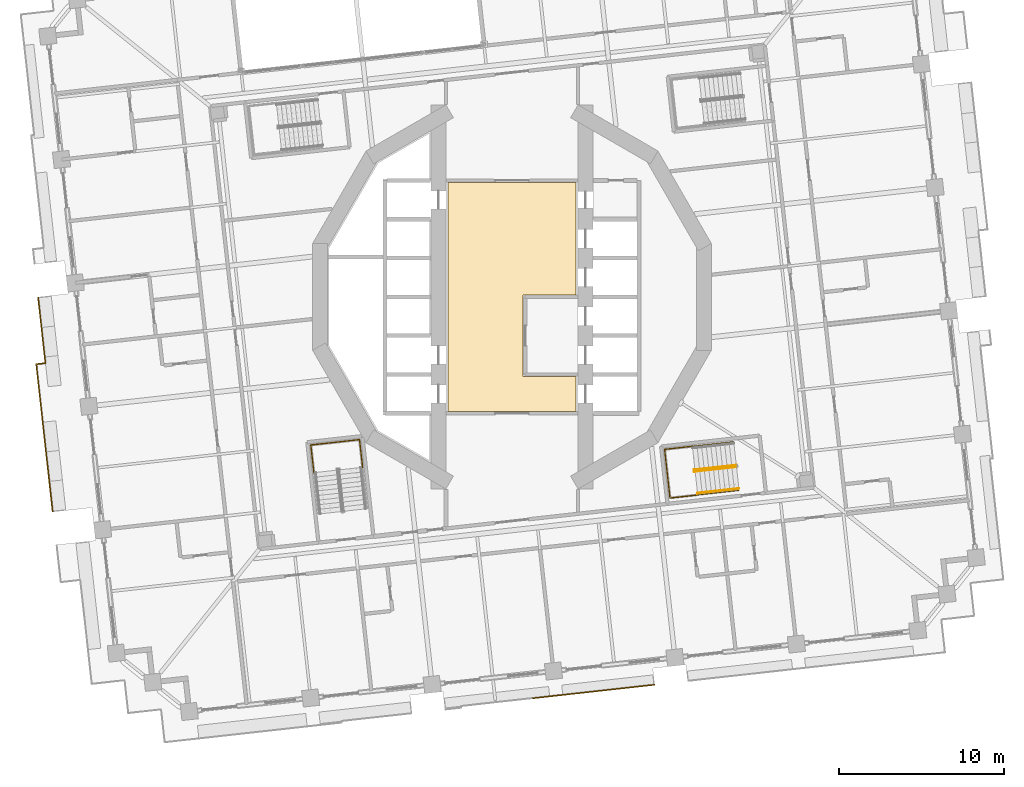
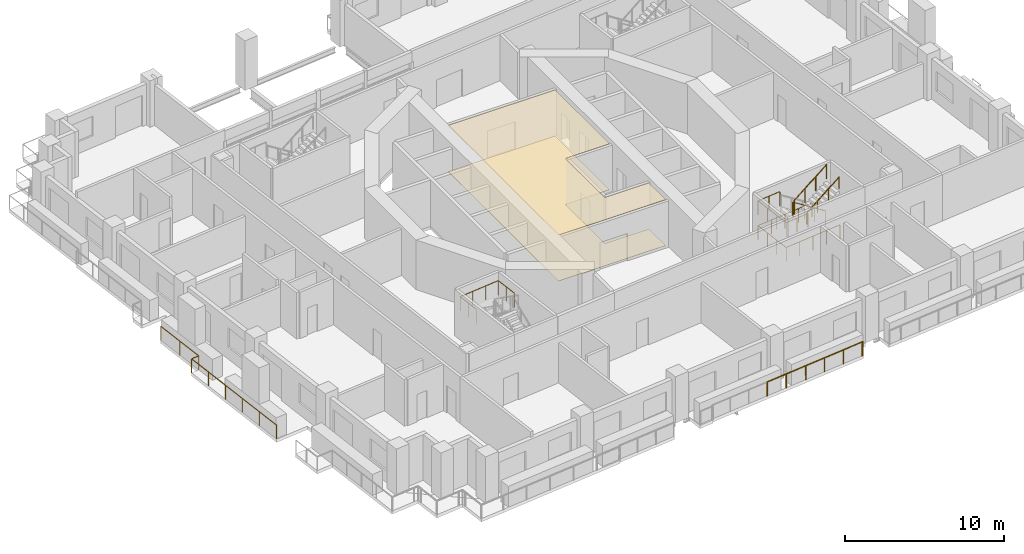
# One storey, part 16 of 21: 8 railings, 2 coverings.
"""IFC4 building model written with IfcOpenShell, lengths in metres."""

from ifc_helpers import new_model, si_unit, direction, frame, origin, origin_2d, place, context, subcontext, project, spatial, polyline, circle, outline, extrude, material, layer, layer_set, type_object, element, save


model = new_model("IFC4")

# Units and contexts
model_context = context("Model", 3, precision=1e-05, world=origin(), true_north=direction((0.0, 1.0)))
body_context = subcontext(model_context, "Body", "Model", "MODEL_VIEW")
ifc_project = project(units=[si_unit("LENGTHUNIT", "METRE"), si_unit("AREAUNIT", "SQUARE_METRE"), si_unit("VOLUMEUNIT", "CUBIC_METRE"), si_unit("PLANEANGLEUNIT", "RADIAN"), si_unit("MASSUNIT", "GRAM", prefix="KILO")], contexts=[model_context])

# Site, building, storey
site_placement = place(None, origin())
site = spatial("IfcSite", under=ifc_project, at=site_placement, CompositionType="ELEMENT")
building_placement = place(site_placement, origin())
building = spatial("IfcBuilding", under=site, at=building_placement, Name="Cantera Rosa Tower", CompositionType="ELEMENT")
storey_placement = place(building_placement, frame((0.0, 0.0, 61.5)))
storey = spatial("IfcBuildingStorey", under=building, at=storey_placement, Name="L12", CompositionType="ELEMENT", Elevation=61.5)

# Railings
ifc_material_1 = material(Name="Stainless steel and laminated glass", Category="steel")
railing_type_1 = type_object("IfcRailingType", Name="GUARD 1100", PredefinedType="BALUSTRADE", material=ifc_material_1)
railing_1_placement = place(storey_placement, frame((-27.823486328125, -12.99853515625, 0.0)))
element("IfcRailing", 1, at=railing_1_placement, inside=storey, type_object=railing_type_1, Name="GUARD L12-3", PredefinedType="BALUSTRADE", context=body_context, shape_type="SweptSolid", body=[
    extrude(circle(Radius=0.030029296875, at=origin_2d()), frame((0.0, 0.0, 1.070068359375), z_axis=(-0.11030317772, 0.993897987212, 0.0), x_axis=(-0.993897987212, -0.11030317772, 0.0)), (0.0, 0.0, 1.0), 8.977294921875),
    extrude(circle(Radius=0.030029296875, at=origin_2d()), frame((-0.990234375, 8.922607421875, 1.070068359375), z_axis=(0.993873032391, 0.110527804132, 0.0), x_axis=(-0.110527804132, 0.993873032391, 0.0)), (0.0, 0.0, 1.0), 0.556640625),
    extrude(circle(Radius=0.030029296875, at=origin_2d()), frame((-0.43701171875, 8.984130859375, 1.070068359375), z_axis=(-0.110344492621, 0.9938934012, 0.0), x_axis=(-0.9938934012, -0.110344492621, 0.0)), (0.0, 0.0, 1.0), 4.00244140625),
    extrude(circle(Radius=0.02490234375, at=origin_2d()), origin(), (0.0, 0.0, 1.0), 1.0400390625),
    extrude(circle(Radius=0.02490234375, at=origin_2d()), frame((-0.197998046875, 1.784423828125, 0.0)), (0.0, 0.0, 1.0), 1.0400390625),
    extrude(circle(Radius=0.02490234375, at=origin_2d()), frame((-0.39599609375, 3.569091796875, 0.0)), (0.0, 0.0, 1.0), 1.0400390625),
    extrude(circle(Radius=0.02490234375, at=origin_2d()), frame((-0.59423828125, 5.353515625, 0.0)), (0.0, 0.0, 1.0), 1.0400390625),
    extrude(circle(Radius=0.02490234375, at=origin_2d()), frame((-0.792236328125, 7.13818359375, 0.0)), (0.0, 0.0, 1.0), 1.0400390625),
    extrude(circle(Radius=0.02490234375, at=origin_2d()), frame((-0.990234375, 8.922607421875, 0.0)), (0.0, 0.0, 1.0), 1.0400390625),
    extrude(circle(Radius=0.02490234375, at=origin_2d()), frame((-0.43701171875, 8.984130859375, 0.0)), (0.0, 0.0, 1.0), 1.0400390625),
    extrude(circle(Radius=0.02490234375, at=origin_2d()), frame((-0.65771484375, 10.97314453125, 0.0)), (0.0, 0.0, 1.0), 1.0400390625),
    extrude(circle(Radius=0.02490234375, at=origin_2d()), frame((-0.878662109375, 12.962158203125, 0.0)), (0.0, 0.0, 1.0), 1.0400390625),
])
railing_2_placement = place(storey_placement, frame((8.6142578125, -23.4931640625, 0.0)))
element("IfcRailing", 2, at=railing_2_placement, inside=storey, type_object=railing_type_1, Name="GUARD L12-9", PredefinedType="BALUSTRADE", context=body_context, shape_type="SweptSolid", body=[
    extrude(circle(Radius=0.030029296875, at=origin_2d()), frame((0.0, 0.0, 1.070068359375), z_axis=(-0.994136314057, -0.108134125389, 0.0), x_axis=(0.108134125389, -0.994136314057, 0.0)), (0.0, 0.0, 1.0), 0.070068359375),
    extrude(circle(Radius=0.030029296875, at=origin_2d()), frame((-0.069580078125, -0.007568359375, 1.070068359375), z_axis=(-0.993891851654, -0.110358448777, 0.0), x_axis=(0.110358448777, -0.993891851654, 0.0)), (0.0, 0.0, 1.0), 4.400146484375),
    extrude(circle(Radius=0.030029296875, at=origin_2d()), frame((-4.44287109375, -0.4931640625, 1.070068359375), z_axis=(-0.993901585709, -0.110270748271, 0.0), x_axis=(0.110270748271, -0.993901585709, 0.0)), (0.0, 0.0, 1.0), 3.0),
    extrude(circle(Radius=0.02490234375, at=origin_2d()), origin(), (0.0, 0.0, 1.0), 1.0400390625),
    extrude(circle(Radius=0.02490234375, at=origin_2d()), frame((-0.069580078125, -0.007568359375, 0.0)), (0.0, 0.0, 1.0), 1.0400390625),
    extrude(circle(Radius=0.02490234375, at=origin_2d()), frame((-1.52734375, -0.16943359375, 0.0)), (0.0, 0.0, 1.0), 1.0400390625),
    extrude(circle(Radius=0.02490234375, at=origin_2d()), frame((-2.985107421875, -0.331298828125, 0.0)), (0.0, 0.0, 1.0), 1.0400390625),
    extrude(circle(Radius=0.02490234375, at=origin_2d()), frame((-4.44287109375, -0.4931640625, 0.0)), (0.0, 0.0, 1.0), 1.0400390625),
    extrude(circle(Radius=0.02490234375, at=origin_2d()), frame((-5.93359375, -0.65869140625, 0.0)), (0.0, 0.0, 1.0), 1.0400390625),
    extrude(circle(Radius=0.02490234375, at=origin_2d()), frame((-7.424560546875, -0.823974609375, 0.0)), (0.0, 0.0, 1.0), 1.0400390625),
])
ifc_material_2 = material(Name="Steel S355J2 (EN 10025-2)", Category="steel")
railing_type_2 = type_object("IfcRailingType", Name="STAIR GUARD 1100", PredefinedType="GUARDRAIL", material=ifc_material_2)
railing_3_placement = place(storey_placement, frame((-9.04638671875, -10.3349609375, 1.89990234375)))
element("IfcRailing", 3, at=railing_3_placement, inside=storey, type_object=railing_type_2, Name="L12 ST-13 stair guard 5", PredefinedType="GUARDRAIL", context=body_context, shape_type="SweptSolid", body=[
    extrude(circle(Radius=0.02392578125, at=origin_2d()), frame((0.0, 0.0, 1.076171875), z_axis=(-0.110305577623, 0.993897720867, 0.0), x_axis=(-0.993897720867, -0.110305577623, 0.0)), (0.0, 0.0, 1.0), 1.7021484375),
    extrude(circle(Radius=0.02392578125, at=origin_2d()), frame((-0.187744140625, 1.691650390625, 1.076171875), z_axis=(-0.993896759678, -0.110314237986, 0.0), x_axis=(0.110314237986, -0.993896759678, 0.0)), (0.0, 0.0, 1.0), 2.969970703125),
    extrude(circle(Radius=0.02392578125, at=origin_2d()), frame((-3.1396484375, 1.364013671875, 1.076171875), z_axis=(0.110447269257, -0.993881985305, 0.0), x_axis=(0.993881985305, 0.110447269257, 0.0)), (0.0, 0.0, 1.0), 1.7021484375),
    extrude(circle(Radius=0.02099609375, at=origin_2d()), origin(), (0.0, 0.0, 1.0), 1.052001953125),
    extrude(circle(Radius=0.02099609375, at=origin_2d()), frame((-0.09375, 0.845703125, 0.0)), (0.0, 0.0, 1.0), 1.052001953125),
    extrude(circle(Radius=0.02099609375, at=origin_2d()), frame((-0.187744140625, 1.691650390625, 0.0)), (0.0, 0.0, 1.0), 1.052001953125),
    extrude(circle(Radius=0.02099609375, at=origin_2d()), frame((-1.171630859375, 1.58251953125, 0.0)), (0.0, 0.0, 1.0), 1.052001953125),
    extrude(circle(Radius=0.02099609375, at=origin_2d()), frame((-2.15576171875, 1.47314453125, 0.0)), (0.0, 0.0, 1.0), 1.052001953125),
    extrude(circle(Radius=0.02099609375, at=origin_2d()), frame((-3.1396484375, 1.364013671875, 0.0)), (0.0, 0.0, 1.0), 1.052001953125),
    extrude(circle(Radius=0.02099609375, at=origin_2d()), frame((-3.045654296875, 0.51806640625, 0.0)), (0.0, 0.0, 1.0), 1.052001953125),
    extrude(circle(Radius=0.02099609375, at=origin_2d()), frame((-2.95166015625, -0.32763671875, 0.0)), (0.0, 0.0, 1.0), 1.052001953125),
])
railing_4_placement = place(storey_placement, frame((13.5859375, -10.19677734375, 0.18994140625)))
element("IfcRailing", 4, at=railing_4_placement, inside=storey, type_object=railing_type_2, Name="L12 ST-14 stair guard 1", PredefinedType="GUARDRAIL", context=body_context, shape_type="SweptSolid", body=[
    extrude(circle(Radius=0.02392578125, at=origin_2d()), frame((0.0, 0.0, 1.076171875), z_axis=(-0.822405392514, -0.091316020869, 0.561525382059), x_axis=(0.110357086308, -0.993892002937, 0.0)), (0.0, 0.0, 1.0), 3.045166015625),
    extrude(circle(Radius=0.02392578125, at=origin_2d()), frame((-2.50439453125, -0.278076171875, 2.7861328125), z_axis=(-0.933456941688, 0.358689472963, 0.0), x_axis=(-0.358689472963, -0.933456941688, 0.0)), (0.0, 0.0, 1.0), 0.056396484375),
    extrude(circle(Radius=0.02392578125, at=origin_2d()), frame((-2.55712890625, -0.2578125, 2.7861328125), z_axis=(0.110789159685, -0.993843932464, 0.0), x_axis=(0.993843932464, 0.110789159685, 0.0)), (0.0, 0.0, 1.0), 0.14990234375),
    extrude(circle(Radius=0.02099609375, at=origin_2d()), origin(), (0.0, 0.0, 1.0), 1.052001953125),
    extrude(circle(Radius=0.02099609375, at=origin_2d()), frame((-0.834716796875, -0.0927734375, 0.570068359375)), (0.0, 0.0, 1.0), 1.052001953125),
    extrude(circle(Radius=0.02099609375, at=origin_2d()), frame((-1.669677734375, -0.185302734375, 1.139892578125)), (0.0, 0.0, 1.0), 1.052001953125),
    extrude(circle(Radius=0.02099609375, at=origin_2d()), frame((-2.50439453125, -0.278076171875, 1.7099609375)), (0.0, 0.0, 1.0), 1.052001953125),
    extrude(circle(Radius=0.02099609375, at=origin_2d()), frame((-2.55712890625, -0.2578125, 1.7099609375)), (0.0, 0.0, 1.0), 1.052001953125),
    extrude(circle(Radius=0.02099609375, at=origin_2d()), frame((-2.54052734375, -0.40673828125, 1.7099609375)), (0.0, 0.0, 1.0), 1.052001953125),
])
railing_5_placement = place(storey_placement, frame((11.09228515625, -10.572265625, 2.090087890625)))
element("IfcRailing", 5, at=railing_5_placement, inside=storey, type_object=railing_type_2, Name="L12 ST-14 stair guard 2", PredefinedType="GUARDRAIL", context=body_context, shape_type="SweptSolid", body=[
    extrude(circle(Radius=0.02392578125, at=origin_2d()), frame((0.0, 0.0, 1.076171875), z_axis=(0.822431337597, 0.091310000343, 0.561488360321), x_axis=(-0.110346460196, 0.993893182753, 0.0)), (0.0, 0.0, 1.0), 3.04541015625),
    extrude(circle(Radius=0.02099609375, at=origin_2d()), origin(), (0.0, 0.0, 1.0), 1.052001953125),
    extrude(circle(Radius=0.02099609375, at=origin_2d()), frame((0.8349609375, 0.0927734375, 0.570068359375)), (0.0, 0.0, 1.0), 1.052001953125),
    extrude(circle(Radius=0.02099609375, at=origin_2d()), frame((1.669677734375, 0.185302734375, 1.139892578125)), (0.0, 0.0, 1.0), 1.052001953125),
    extrude(circle(Radius=0.02099609375, at=origin_2d()), frame((2.504638671875, 0.278076171875, 1.7099609375)), (0.0, 0.0, 1.0), 1.052001953125),
])
railing_6_placement = place(storey_placement, frame((13.415771484375, -8.77099609375, 0.0)))
element("IfcRailing", 6, at=railing_6_placement, inside=storey, type_object=railing_type_2, Name="L12 ST-14 stair guard 4", PredefinedType="GUARDRAIL", context=body_context, shape_type="SweptSolid", body=[
    extrude(circle(Radius=0.02392578125, at=origin_2d()), frame((0.0, 0.0, 1.076171875), z_axis=(-0.9938957856, -0.110323013767, 0.0), x_axis=(0.110323013767, -0.9938957856, 0.0)), (0.0, 0.0, 1.0), 4.197998046875),
    extrude(circle(Radius=0.02392578125, at=origin_2d()), frame((-4.17236328125, -0.463134765625, 1.076171875), z_axis=(0.110314237986, -0.993896759678, 0.0), x_axis=(0.993896759678, 0.110314237986, 0.0)), (0.0, 0.0, 1.0), 2.969970703125),
    extrude(circle(Radius=0.02392578125, at=origin_2d()), frame((-3.8447265625, -3.4150390625, 1.076171875), z_axis=(0.9938957856, 0.110323013767, 0.0), x_axis=(-0.110323013767, 0.9938957856, 0.0)), (0.0, 0.0, 1.0), 4.197998046875),
    extrude(circle(Radius=0.02099609375, at=origin_2d()), origin(), (0.0, 0.0, 1.0), 1.052001953125),
    extrude(circle(Radius=0.02099609375, at=origin_2d()), frame((-1.04296875, -0.11572265625, 0.0)), (0.0, 0.0, 1.0), 1.052001953125),
    extrude(circle(Radius=0.02099609375, at=origin_2d()), frame((-2.086181640625, -0.2314453125, 0.0)), (0.0, 0.0, 1.0), 1.052001953125),
    extrude(circle(Radius=0.02099609375, at=origin_2d()), frame((-3.12939453125, -0.347412109375, 0.0)), (0.0, 0.0, 1.0), 1.052001953125),
    extrude(circle(Radius=0.02099609375, at=origin_2d()), frame((-4.17236328125, -0.463134765625, 0.0)), (0.0, 0.0, 1.0), 1.052001953125),
    extrude(circle(Radius=0.02099609375, at=origin_2d()), frame((-4.063232421875, -1.447021484375, 0.0)), (0.0, 0.0, 1.0), 1.052001953125),
    extrude(circle(Radius=0.02099609375, at=origin_2d()), frame((-3.953857421875, -2.43115234375, 0.0)), (0.0, 0.0, 1.0), 1.052001953125),
    extrude(circle(Radius=0.02099609375, at=origin_2d()), frame((-3.8447265625, -3.4150390625, 0.0)), (0.0, 0.0, 1.0), 1.052001953125),
    extrude(circle(Radius=0.02099609375, at=origin_2d()), frame((-2.8017578125, -3.29931640625, 0.0)), (0.0, 0.0, 1.0), 1.052001953125),
    extrude(circle(Radius=0.02099609375, at=origin_2d()), frame((-1.758544921875, -3.18359375, 0.0)), (0.0, 0.0, 1.0), 1.052001953125),
    extrude(circle(Radius=0.02099609375, at=origin_2d()), frame((-0.71533203125, -3.067626953125, 0.0)), (0.0, 0.0, 1.0), 1.052001953125),
    extrude(circle(Radius=0.02099609375, at=origin_2d()), frame((0.32763671875, -2.951904296875, 0.0)), (0.0, 0.0, 1.0), 1.052001953125),
])
railing_7_placement = place(storey_placement, frame((10.93505859375, -9.04638671875, 1.89990234375)))
element("IfcRailing", 7, at=railing_7_placement, inside=storey, type_object=railing_type_2, Name="L12 ST-14 stair guard 5", PredefinedType="GUARDRAIL", context=body_context, shape_type="SweptSolid", body=[
    extrude(circle(Radius=0.02392578125, at=origin_2d()), frame((0.0, 0.0, 1.076171875), z_axis=(-0.993897720867, -0.110305577623, 0.0), x_axis=(0.110305577623, -0.993897720867, 0.0)), (0.0, 0.0, 1.0), 1.7021484375),
    extrude(circle(Radius=0.02392578125, at=origin_2d()), frame((-1.691650390625, -0.187744140625, 1.076171875), z_axis=(0.110314237986, -0.993896759678, 0.0), x_axis=(0.993896759678, 0.110314237986, 0.0)), (0.0, 0.0, 1.0), 2.969970703125),
    extrude(circle(Radius=0.02392578125, at=origin_2d()), frame((-1.364013671875, -3.1396484375, 1.076171875), z_axis=(0.993881985305, 0.110447269257, 0.0), x_axis=(-0.110447269257, 0.993881985305, 0.0)), (0.0, 0.0, 1.0), 1.7021484375),
    extrude(circle(Radius=0.02099609375, at=origin_2d()), origin(), (0.0, 0.0, 1.0), 1.052001953125),
    extrude(circle(Radius=0.02099609375, at=origin_2d()), frame((-0.845703125, -0.09375, 0.0)), (0.0, 0.0, 1.0), 1.052001953125),
    extrude(circle(Radius=0.02099609375, at=origin_2d()), frame((-1.691650390625, -0.187744140625, 0.0)), (0.0, 0.0, 1.0), 1.052001953125),
    extrude(circle(Radius=0.02099609375, at=origin_2d()), frame((-1.58251953125, -1.171630859375, 0.0)), (0.0, 0.0, 1.0), 1.052001953125),
    extrude(circle(Radius=0.02099609375, at=origin_2d()), frame((-1.47314453125, -2.15576171875, 0.0)), (0.0, 0.0, 1.0), 1.052001953125),
    extrude(circle(Radius=0.02099609375, at=origin_2d()), frame((-1.364013671875, -3.1396484375, 0.0)), (0.0, 0.0, 1.0), 1.052001953125),
    extrude(circle(Radius=0.02099609375, at=origin_2d()), frame((-0.51806640625, -3.045654296875, 0.0)), (0.0, 0.0, 1.0), 1.052001953125),
    extrude(circle(Radius=0.02099609375, at=origin_2d()), frame((0.32763671875, -2.95166015625, 0.0)), (0.0, 0.0, 1.0), 1.052001953125),
])
ifc_material_3 = material(Name="Steel S355J2 (EN 10025-2)", Category="steel")
railing_type_3 = type_object("IfcRailingType", Name="STAIR HANDRAIL 900", PredefinedType="HANDRAIL", material=ifc_material_3)
railing_8_placement = place(storey_placement, frame((11.238525390625, -11.89013671875, 2.090087890625)))
element("IfcRailing", 8, at=railing_8_placement, inside=storey, type_object=railing_type_3, Name="L12 ST-14 stair handrail 2", PredefinedType="HANDRAIL", context=body_context, shape_type="SweptSolid", body=[
    extrude(circle(Radius=0.02392578125, at=origin_2d()), frame((0.0, 0.0, 0.8759765625), z_axis=(0.822431337597, 0.091310000343, 0.561488360321), x_axis=(-0.110346460196, 0.993893182753, 0.0)), (0.0, 0.0, 1.0), 3.04541015625),
    extrude(circle(Radius=0.02099609375, at=origin_2d()), origin(), (0.0, 0.0, 1.0), 0.851806640625),
    extrude(circle(Radius=0.02099609375, at=origin_2d()), frame((0.8349609375, 0.0927734375, 0.570068359375)), (0.0, 0.0, 1.0), 0.851806640625),
    extrude(circle(Radius=0.02099609375, at=origin_2d()), frame((1.669677734375, 0.185302734375, 1.139892578125)), (0.0, 0.0, 1.0), 0.851806640625),
    extrude(circle(Radius=0.02099609375, at=origin_2d()), frame((2.504638671875, 0.278076171875, 1.7099609375)), (0.0, 0.0, 1.0), 0.851806640625),
])

# Coverings
ifc_material_4 = material(Name="Limestone paving", Category="masonry")
ifc_layer_1 = layer(ifc_material_4, 0.02490234375)
ifc_layer_set_1 = layer_set([ifc_layer_1], Name="STONE FLOOR FINISH 25")
covering_type_1 = type_object("IfcCoveringType", Name="STONE FLOOR FINISH 25", PredefinedType="FLOORING", material=ifc_layer_set_1)
covering_1_placement = place(storey_placement, origin())
element("IfcCovering", 9, at=covering_1_placement, inside=storey, type_object=covering_type_1, Name="STONE FLOOR FINISH L12", PredefinedType="FLOORING", context=body_context, shape_type="SweptSolid", body=[
    extrude(outline(polyline([(3.8798828125, 6.929931640625), (3.8798828125, 0.1201171875), (0.679931640625, 0.1201171875), (0.679931640625, -4.820068359375), (3.8798828125, -4.820068359375), (3.8798828125, -6.929931640625), (-3.8798828125, -6.929931640625), (-3.8798828125, 6.929931640625), (3.8798828125, 6.929931640625)])), origin(), (0.0, 0.0, 1.0), 0.02490234375),
])
ifc_material_5 = material(Name="Gypsum ceiling tile")
ifc_layer_2 = layer(ifc_material_5, 0.030029296875)
ifc_layer_set_2 = layer_set([ifc_layer_2], Name="SUSPENDED CEILING 30")
covering_type_2 = type_object("IfcCoveringType", Name="SUSPENDED CEILING 30", PredefinedType="CEILING", material=ifc_layer_set_2)
covering_2_placement = place(storey_placement, frame((0.0, 0.0, 3.52001953125)))
element("IfcCovering", 10, at=covering_2_placement, inside=storey, type_object=covering_type_2, Name="SUSPENDED CEILING L12", PredefinedType="CEILING", context=body_context, shape_type="SweptSolid", body=[
    extrude(outline(polyline([(3.8798828125, 6.929931640625), (3.8798828125, 0.1201171875), (0.679931640625, 0.1201171875), (0.679931640625, -4.820068359375), (3.8798828125, -4.820068359375), (3.8798828125, -6.929931640625), (-3.8798828125, -6.929931640625), (-3.8798828125, 6.929931640625), (3.8798828125, 6.929931640625)])), origin(), (0.0, 0.0, 1.0), 0.030029296875),
])

save(model, "model.ifc")
